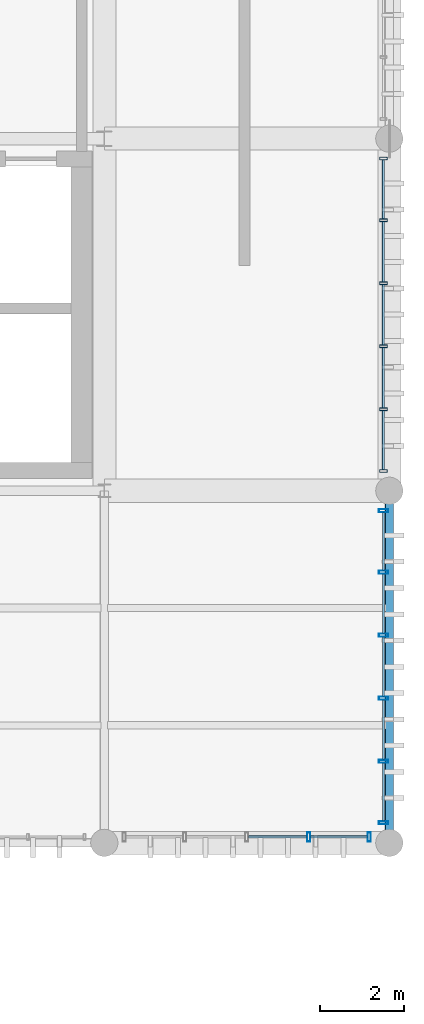
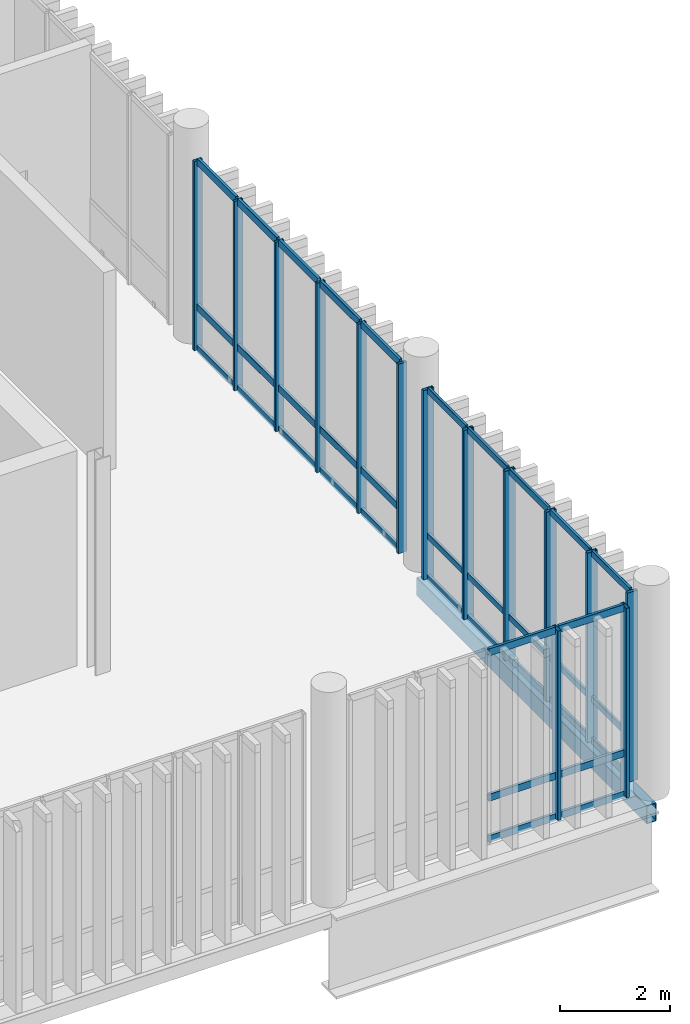
# One storey, part 45 of 81: 50 members, 1 beam, 3 elements without a shape of their own.
"""IFC4 building model written with IfcOpenShell, lengths in metres."""

from ifc_helpers import new_model, si_unit, direction, frame, origin_with_axes, origin_2d_with_axis, place, context, subcontext, project, spatial, hollow_rectangle, extrude, material, material_profile, profile_set, type_object, element, aggregate, save


model = new_model("IFC4")

# Units and contexts
model_context = context("Model", 3, precision=1e-05, world=origin_with_axes(), true_north=direction((0.0, 1.0)))
body_context = subcontext(model_context, "Body", "Model", "MODEL_VIEW")
ifc_project = project(units=[si_unit("LENGTHUNIT", "METRE"), si_unit("AREAUNIT", "SQUARE_METRE"), si_unit("VOLUMEUNIT", "CUBIC_METRE"), si_unit("PLANEANGLEUNIT", "RADIAN"), si_unit("MASSUNIT", "GRAM", prefix="KILO"), si_unit("THERMODYNAMICTEMPERATUREUNIT", "KELVIN")], contexts=[model_context])

# Site, building, storey
site_placement = place(None, origin_with_axes())
site = spatial("IfcSite", under=ifc_project, at=site_placement, CompositionType="ELEMENT")
building_placement = place(site_placement, origin_with_axes())
building = spatial("IfcBuilding", under=site, at=building_placement, Name="Montbau Bow Law Courts", CompositionType="ELEMENT")
storey_placement = place(building_placement, frame((0.0, 0.0, 24.9), z_axis=(0.0, 0.0, 1.0), x_axis=(1.0, 0.0, 0.0)))
storey = spatial("IfcBuildingStorey", under=building, at=storey_placement, Name="L05", CompositionType="ELEMENT", Elevation=24.9)

# Beam
ifc_material_1 = material(Name="Steel CSA G40.21 Grade 350WT (350 MPa)", Category="steel")
ifc_material_profile_1 = material_profile(ifc_material_1, hollow_rectangle(XDim=0.203, YDim=0.406, WallThickness=0.0127, InnerFilletRadius=0.0254, OuterFilletRadius=0.0127, at=origin_2d_with_axis()), Name="HSS406X203X13", Category="Main", Priority=0)
ifc_profile_set_1 = profile_set([ifc_material_profile_1], Name="Steel CSA G40.21 Grade 350WT (350 MPa)")
beam_type = type_object("IfcBeamType", Name="B-SPN-01", PredefinedType="SPANDREL", material=ifc_profile_set_1)
beam_placement = place(None, frame((169.4, 78.0, 24.397), z_axis=(0.0, 1.0, 0.0), x_axis=(-1.0, 0.0, 0.0)))
element("IfcBeam", 1, at=beam_placement, inside=storey, type_object=beam_type, Name="SPN-L05-S1297:bm2_1300", PredefinedType="SPANDREL", context=body_context, shape_type="SweptSolid", body=[
    extrude(hollow_rectangle(XDim=0.203, YDim=0.406, WallThickness=0.0127, InnerFilletRadius=0.0254, OuterFilletRadius=0.0127, at=origin_2d_with_axis()), origin_with_axes(), (0.0, 0.0, 1.0), 8.4),
])

# Curtain wall, members
ifc_material_2 = material(Name="Thermally Broken Extruded Aluminium AA 6063-T6", Category="aluminium")
curtain_wall_type = type_object("IfcCurtainWallType", Name="CW-SLT-02", PredefinedType="NOTDEFINED", material=ifc_material_2)
curtain_wall_1_placement = place(None, frame((163.04, 78.14, 24.9), z_axis=(0.0, 0.0, 1.0), x_axis=(1.0, 0.0, 0.0)))
curtain_wall_1 = element("IfcCurtainWall", 2, at=curtain_wall_1_placement, inside=storey, type_object=curtain_wall_type, Name="CW-L05-336:cw_0336", PredefinedType="NOTDEFINED")
ifc_material_profile_2 = material_profile(ifc_material_2, hollow_rectangle(XDim=0.075, YDim=0.22, WallThickness=0.005, InnerFilletRadius=0.01, OuterFilletRadius=0.005, at=origin_2d_with_axis()), Name="CWM-220X75", Category="Main", Priority=0)
ifc_profile_set_2 = profile_set([ifc_material_profile_2], Name="Thermally Broken Extruded Aluminium AA 6063-T6")
member_type_1 = type_object("IfcMemberType", Name="M-MUL-01", PredefinedType="MULLION", material=ifc_profile_set_2)
member_1_placement = place(None, frame((167.48, 78.14, 24.9), z_axis=(0.0, 0.0, 1.0), x_axis=(1.0, 0.0, 0.0)))
member_1 = element("IfcMember", 3, at=member_1_placement, type_object=member_type_1, Name="CW-L05-336-M04:cw_0336_M04", PredefinedType="MULLION", context=body_context, shape_type="SweptSolid", body=[
    extrude(hollow_rectangle(XDim=0.075, YDim=0.22, WallThickness=0.005, InnerFilletRadius=0.01, OuterFilletRadius=0.005, at=origin_2d_with_axis()), origin_with_axes(), (0.0, 0.0, 1.0), 4.22),
])
member_2_placement = place(None, frame((168.923, 78.14, 24.9), z_axis=(0.0, 0.0, 1.0), x_axis=(1.0, 0.0, 0.0)))
member_2 = element("IfcMember", 4, at=member_2_placement, type_object=member_type_1, Name="CW-L05-336-M05:cw_0336_M05", PredefinedType="MULLION", context=body_context, shape_type="SweptSolid", body=[
    extrude(hollow_rectangle(XDim=0.075, YDim=0.22, WallThickness=0.005, InnerFilletRadius=0.01, OuterFilletRadius=0.005, at=origin_2d_with_axis()), origin_with_axes(), (0.0, 0.0, 1.0), 4.22),
])

curtain_wall_2_placement = place(None, frame((169.26, 78.44, 24.9), z_axis=(0.0, 0.0, 1.0), x_axis=(1.0, 0.0, 0.0)))
curtain_wall_2 = element("IfcCurtainWall", 5, at=curtain_wall_2_placement, inside=storey, type_object=curtain_wall_type, Name="CW-L05-345:cw_0345", PredefinedType="NOTDEFINED")
member_3_placement = place(None, frame((169.26, 78.477, 24.9), z_axis=(0.0, 0.0, 1.0), x_axis=(0.0, 1.0, 0.0)))
member_3 = element("IfcMember", 6, at=member_3_placement, type_object=member_type_1, Name="CW-L05-345-M01:cw_0345_M01", PredefinedType="MULLION", context=body_context, shape_type="SweptSolid", body=[
    extrude(hollow_rectangle(XDim=0.075, YDim=0.22, WallThickness=0.005, InnerFilletRadius=0.01, OuterFilletRadius=0.005, at=origin_2d_with_axis()), origin_with_axes(), (0.0, 0.0, 1.0), 4.22),
])
member_4_placement = place(None, frame((169.26, 79.944, 24.9), z_axis=(0.0, 0.0, 1.0), x_axis=(0.0, 1.0, 0.0)))
member_4 = element("IfcMember", 7, at=member_4_placement, type_object=member_type_1, Name="CW-L05-345-M02:cw_0345_M02", PredefinedType="MULLION", context=body_context, shape_type="SweptSolid", body=[
    extrude(hollow_rectangle(XDim=0.075, YDim=0.22, WallThickness=0.005, InnerFilletRadius=0.01, OuterFilletRadius=0.005, at=origin_2d_with_axis()), origin_with_axes(), (0.0, 0.0, 1.0), 4.22),
])
member_5_placement = place(None, frame((169.26, 81.448, 24.9), z_axis=(0.0, 0.0, 1.0), x_axis=(0.0, 1.0, 0.0)))
member_5 = element("IfcMember", 8, at=member_5_placement, type_object=member_type_1, Name="CW-L05-345-M03:cw_0345_M03", PredefinedType="MULLION", context=body_context, shape_type="SweptSolid", body=[
    extrude(hollow_rectangle(XDim=0.075, YDim=0.22, WallThickness=0.005, InnerFilletRadius=0.01, OuterFilletRadius=0.005, at=origin_2d_with_axis()), origin_with_axes(), (0.0, 0.0, 1.0), 4.22),
])
member_6_placement = place(None, frame((169.26, 82.952, 24.9), z_axis=(0.0, 0.0, 1.0), x_axis=(0.0, 1.0, 0.0)))
member_6 = element("IfcMember", 9, at=member_6_placement, type_object=member_type_1, Name="CW-L05-345-M04:cw_0345_M04", PredefinedType="MULLION", context=body_context, shape_type="SweptSolid", body=[
    extrude(hollow_rectangle(XDim=0.075, YDim=0.22, WallThickness=0.005, InnerFilletRadius=0.01, OuterFilletRadius=0.005, at=origin_2d_with_axis()), origin_with_axes(), (0.0, 0.0, 1.0), 4.22),
])
member_7_placement = place(None, frame((169.26, 84.456, 24.9), z_axis=(0.0, 0.0, 1.0), x_axis=(0.0, 1.0, 0.0)))
member_7 = element("IfcMember", 10, at=member_7_placement, type_object=member_type_1, Name="CW-L05-345-M05:cw_0345_M05", PredefinedType="MULLION", context=body_context, shape_type="SweptSolid", body=[
    extrude(hollow_rectangle(XDim=0.075, YDim=0.22, WallThickness=0.005, InnerFilletRadius=0.01, OuterFilletRadius=0.005, at=origin_2d_with_axis()), origin_with_axes(), (0.0, 0.0, 1.0), 4.22),
])
member_8_placement = place(None, frame((169.26, 85.922, 24.9), z_axis=(0.0, 0.0, 1.0), x_axis=(0.0, 1.0, 0.0)))
member_8 = element("IfcMember", 11, at=member_8_placement, type_object=member_type_1, Name="CW-L05-345-M06:cw_0345_M06", PredefinedType="MULLION", context=body_context, shape_type="SweptSolid", body=[
    extrude(hollow_rectangle(XDim=0.075, YDim=0.22, WallThickness=0.005, InnerFilletRadius=0.01, OuterFilletRadius=0.005, at=origin_2d_with_axis()), origin_with_axes(), (0.0, 0.0, 1.0), 4.22),
])

curtain_wall_3_placement = place(None, frame((169.26, 86.84, 24.9), z_axis=(0.0, 0.0, 1.0), x_axis=(1.0, 0.0, 0.0)))
curtain_wall_3 = element("IfcCurtainWall", 12, at=curtain_wall_3_placement, inside=storey, type_object=curtain_wall_type, Name="CW-L05-346:cw_0346", PredefinedType="NOTDEFINED")
ifc_material_profile_3 = material_profile(ifc_material_2, hollow_rectangle(XDim=0.065, YDim=0.18, WallThickness=0.005, InnerFilletRadius=0.01, OuterFilletRadius=0.005, at=origin_2d_with_axis()), Name="CWM-180X65", Category="Main", Priority=0)
ifc_profile_set_3 = profile_set([ifc_material_profile_3], Name="Thermally Broken Extruded Aluminium AA 6063-T6")
member_type_2 = type_object("IfcMemberType", Name="M-MUL-02", PredefinedType="MULLION", material=ifc_profile_set_3)
member_9_placement = place(None, frame((169.26, 86.873, 24.9), z_axis=(0.0, 0.0, 1.0), x_axis=(0.0, 1.0, 0.0)))
member_9 = element("IfcMember", 13, at=member_9_placement, type_object=member_type_2, Name="CW-L05-346-M01:cw_0346_M01", PredefinedType="MULLION", context=body_context, shape_type="SweptSolid", body=[
    extrude(hollow_rectangle(XDim=0.065, YDim=0.18, WallThickness=0.005, InnerFilletRadius=0.01, OuterFilletRadius=0.005, at=origin_2d_with_axis()), origin_with_axes(), (0.0, 0.0, 1.0), 4.22),
])
member_10_placement = place(None, frame((169.26, 88.344, 24.9), z_axis=(0.0, 0.0, 1.0), x_axis=(0.0, 1.0, 0.0)))
member_10 = element("IfcMember", 14, at=member_10_placement, type_object=member_type_2, Name="CW-L05-346-M02:cw_0346_M02", PredefinedType="MULLION", context=body_context, shape_type="SweptSolid", body=[
    extrude(hollow_rectangle(XDim=0.065, YDim=0.18, WallThickness=0.005, InnerFilletRadius=0.01, OuterFilletRadius=0.005, at=origin_2d_with_axis()), origin_with_axes(), (0.0, 0.0, 1.0), 4.22),
])
member_11_placement = place(None, frame((169.26, 89.848, 24.9), z_axis=(0.0, 0.0, 1.0), x_axis=(0.0, 1.0, 0.0)))
member_11 = element("IfcMember", 15, at=member_11_placement, type_object=member_type_2, Name="CW-L05-346-M03:cw_0346_M03", PredefinedType="MULLION", context=body_context, shape_type="SweptSolid", body=[
    extrude(hollow_rectangle(XDim=0.065, YDim=0.18, WallThickness=0.005, InnerFilletRadius=0.01, OuterFilletRadius=0.005, at=origin_2d_with_axis()), origin_with_axes(), (0.0, 0.0, 1.0), 4.22),
])
member_12_placement = place(None, frame((169.26, 91.352, 24.9), z_axis=(0.0, 0.0, 1.0), x_axis=(0.0, 1.0, 0.0)))
member_12 = element("IfcMember", 16, at=member_12_placement, type_object=member_type_2, Name="CW-L05-346-M04:cw_0346_M04", PredefinedType="MULLION", context=body_context, shape_type="SweptSolid", body=[
    extrude(hollow_rectangle(XDim=0.065, YDim=0.18, WallThickness=0.005, InnerFilletRadius=0.01, OuterFilletRadius=0.005, at=origin_2d_with_axis()), origin_with_axes(), (0.0, 0.0, 1.0), 4.22),
])
member_13_placement = place(None, frame((169.26, 92.856, 24.9), z_axis=(0.0, 0.0, 1.0), x_axis=(0.0, 1.0, 0.0)))
member_13 = element("IfcMember", 17, at=member_13_placement, type_object=member_type_2, Name="CW-L05-346-M05:cw_0346_M05", PredefinedType="MULLION", context=body_context, shape_type="SweptSolid", body=[
    extrude(hollow_rectangle(XDim=0.065, YDim=0.18, WallThickness=0.005, InnerFilletRadius=0.01, OuterFilletRadius=0.005, at=origin_2d_with_axis()), origin_with_axes(), (0.0, 0.0, 1.0), 4.22),
])
member_14_placement = place(None, frame((169.26, 94.327, 24.9), z_axis=(0.0, 0.0, 1.0), x_axis=(0.0, 1.0, 0.0)))
member_14 = element("IfcMember", 18, at=member_14_placement, type_object=member_type_2, Name="CW-L05-346-M06:cw_0346_M06", PredefinedType="MULLION", context=body_context, shape_type="SweptSolid", body=[
    extrude(hollow_rectangle(XDim=0.065, YDim=0.18, WallThickness=0.005, InnerFilletRadius=0.01, OuterFilletRadius=0.005, at=origin_2d_with_axis()), origin_with_axes(), (0.0, 0.0, 1.0), 4.22),
])

# Member
ifc_material_profile_4 = material_profile(ifc_material_2, hollow_rectangle(XDim=0.06, YDim=0.16, WallThickness=0.004, InnerFilletRadius=0.008, OuterFilletRadius=0.004, at=origin_2d_with_axis()), Name="CWT-160X60", Category="Main", Priority=0)
ifc_profile_set_4 = profile_set([ifc_material_profile_4], Name="Thermally Broken Extruded Aluminium AA 6063-T6")
member_type_3 = type_object("IfcMemberType", Name="M-TRN-01", PredefinedType="USERDEFINED", material=ifc_profile_set_4)
member_15_placement = place(None, frame((166.039, 78.14, 24.93), z_axis=(1.0, 0.0, 0.0), x_axis=(0.0, 1.0, 0.0)))
member_15 = element("IfcMember", 19, at=member_15_placement, type_object=member_type_3, Name="CW-L05-336-T03-1:cw_0336_T03_1", ObjectType="TRANSOM", PredefinedType="USERDEFINED", context=body_context, shape_type="SweptSolid", body=[
    extrude(hollow_rectangle(XDim=0.06, YDim=0.16, WallThickness=0.004, InnerFilletRadius=0.008, OuterFilletRadius=0.004, at=origin_2d_with_axis()), origin_with_axes(), (0.0, 0.0, 1.0), 1.402),
])

member_16_placement = place(None, frame((166.039, 78.14, 25.85), z_axis=(1.0, 0.0, 0.0), x_axis=(0.0, 1.0, 0.0)))
member_16 = element("IfcMember", 20, at=member_16_placement, type_object=member_type_3, Name="CW-L05-336-T03-2:cw_0336_T03_2", ObjectType="TRANSOM", PredefinedType="USERDEFINED", context=body_context, shape_type="SweptSolid", body=[
    extrude(hollow_rectangle(XDim=0.06, YDim=0.16, WallThickness=0.004, InnerFilletRadius=0.008, OuterFilletRadius=0.004, at=origin_2d_with_axis()), origin_with_axes(), (0.0, 0.0, 1.0), 1.402),
])

member_17_placement = place(None, frame((166.039, 78.14, 29.09), z_axis=(1.0, 0.0, 0.0), x_axis=(0.0, 1.0, 0.0)))
member_17 = element("IfcMember", 21, at=member_17_placement, type_object=member_type_3, Name="CW-L05-336-T03-3:cw_0336_T03_3", ObjectType="TRANSOM", PredefinedType="USERDEFINED", context=body_context, shape_type="SweptSolid", body=[
    extrude(hollow_rectangle(XDim=0.06, YDim=0.16, WallThickness=0.004, InnerFilletRadius=0.008, OuterFilletRadius=0.004, at=origin_2d_with_axis()), origin_with_axes(), (0.0, 0.0, 1.0), 1.402),
])

member_18_placement = place(None, frame((167.519, 78.14, 24.93), z_axis=(1.0, 0.0, 0.0), x_axis=(0.0, 1.0, 0.0)))
member_18 = element("IfcMember", 22, at=member_18_placement, type_object=member_type_3, Name="CW-L05-336-T04-1:cw_0336_T04_1", ObjectType="TRANSOM", PredefinedType="USERDEFINED", context=body_context, shape_type="SweptSolid", body=[
    extrude(hollow_rectangle(XDim=0.06, YDim=0.16, WallThickness=0.004, InnerFilletRadius=0.008, OuterFilletRadius=0.004, at=origin_2d_with_axis()), origin_with_axes(), (0.0, 0.0, 1.0), 1.365),
])

member_19_placement = place(None, frame((167.519, 78.14, 25.85), z_axis=(1.0, 0.0, 0.0), x_axis=(0.0, 1.0, 0.0)))
member_19 = element("IfcMember", 23, at=member_19_placement, type_object=member_type_3, Name="CW-L05-336-T04-2:cw_0336_T04_2", ObjectType="TRANSOM", PredefinedType="USERDEFINED", context=body_context, shape_type="SweptSolid", body=[
    extrude(hollow_rectangle(XDim=0.06, YDim=0.16, WallThickness=0.004, InnerFilletRadius=0.008, OuterFilletRadius=0.004, at=origin_2d_with_axis()), origin_with_axes(), (0.0, 0.0, 1.0), 1.365),
])

member_20_placement = place(None, frame((167.519, 78.14, 29.09), z_axis=(1.0, 0.0, 0.0), x_axis=(0.0, 1.0, 0.0)))
member_20 = element("IfcMember", 24, at=member_20_placement, type_object=member_type_3, Name="CW-L05-336-T04-3:cw_0336_T04_3", ObjectType="TRANSOM", PredefinedType="USERDEFINED", context=body_context, shape_type="SweptSolid", body=[
    extrude(hollow_rectangle(XDim=0.06, YDim=0.16, WallThickness=0.004, InnerFilletRadius=0.008, OuterFilletRadius=0.004, at=origin_2d_with_axis()), origin_with_axes(), (0.0, 0.0, 1.0), 1.365),
])

aggregate(curtain_wall_1, [member_1, member_2, member_15, member_16, member_17, member_18, member_19, member_20])

member_21_placement = place(None, frame((169.26, 86.908, 24.93), z_axis=(0.0, 1.0, 0.0), x_axis=(-1.0, 0.0, 0.0)))
member_21 = element("IfcMember", 25, at=member_21_placement, type_object=member_type_3, Name="CW-L05-346-T01-1:cw_0346_T01_1", ObjectType="TRANSOM", PredefinedType="USERDEFINED", context=body_context, shape_type="SweptSolid", body=[
    extrude(hollow_rectangle(XDim=0.06, YDim=0.16, WallThickness=0.004, InnerFilletRadius=0.008, OuterFilletRadius=0.004, at=origin_2d_with_axis()), origin_with_axes(), (0.0, 0.0, 1.0), 1.402),
])

member_22_placement = place(None, frame((169.26, 86.908, 25.85), z_axis=(0.0, 1.0, 0.0), x_axis=(-1.0, 0.0, 0.0)))
member_22 = element("IfcMember", 26, at=member_22_placement, type_object=member_type_3, Name="CW-L05-346-T01-2:cw_0346_T01_2", ObjectType="TRANSOM", PredefinedType="USERDEFINED", context=body_context, shape_type="SweptSolid", body=[
    extrude(hollow_rectangle(XDim=0.06, YDim=0.16, WallThickness=0.004, InnerFilletRadius=0.008, OuterFilletRadius=0.004, at=origin_2d_with_axis()), origin_with_axes(), (0.0, 0.0, 1.0), 1.402),
])

member_23_placement = place(None, frame((169.26, 86.908, 29.09), z_axis=(0.0, 1.0, 0.0), x_axis=(-1.0, 0.0, 0.0)))
member_23 = element("IfcMember", 27, at=member_23_placement, type_object=member_type_3, Name="CW-L05-346-T01-3:cw_0346_T01_3", ObjectType="TRANSOM", PredefinedType="USERDEFINED", context=body_context, shape_type="SweptSolid", body=[
    extrude(hollow_rectangle(XDim=0.06, YDim=0.16, WallThickness=0.004, InnerFilletRadius=0.008, OuterFilletRadius=0.004, at=origin_2d_with_axis()), origin_with_axes(), (0.0, 0.0, 1.0), 1.402),
])

member_24_placement = place(None, frame((169.26, 88.378, 24.93), z_axis=(0.0, 1.0, 0.0), x_axis=(-1.0, 0.0, 0.0)))
member_24 = element("IfcMember", 28, at=member_24_placement, type_object=member_type_3, Name="CW-L05-346-T02-1:cw_0346_T02_1", ObjectType="TRANSOM", PredefinedType="USERDEFINED", context=body_context, shape_type="SweptSolid", body=[
    extrude(hollow_rectangle(XDim=0.06, YDim=0.16, WallThickness=0.004, InnerFilletRadius=0.008, OuterFilletRadius=0.004, at=origin_2d_with_axis()), origin_with_axes(), (0.0, 0.0, 1.0), 1.436),
])

member_25_placement = place(None, frame((169.26, 88.378, 25.85), z_axis=(0.0, 1.0, 0.0), x_axis=(-1.0, 0.0, 0.0)))
member_25 = element("IfcMember", 29, at=member_25_placement, type_object=member_type_3, Name="CW-L05-346-T02-2:cw_0346_T02_2", ObjectType="TRANSOM", PredefinedType="USERDEFINED", context=body_context, shape_type="SweptSolid", body=[
    extrude(hollow_rectangle(XDim=0.06, YDim=0.16, WallThickness=0.004, InnerFilletRadius=0.008, OuterFilletRadius=0.004, at=origin_2d_with_axis()), origin_with_axes(), (0.0, 0.0, 1.0), 1.436),
])

member_26_placement = place(None, frame((169.26, 88.378, 29.09), z_axis=(0.0, 1.0, 0.0), x_axis=(-1.0, 0.0, 0.0)))
member_26 = element("IfcMember", 30, at=member_26_placement, type_object=member_type_3, Name="CW-L05-346-T02-3:cw_0346_T02_3", ObjectType="TRANSOM", PredefinedType="USERDEFINED", context=body_context, shape_type="SweptSolid", body=[
    extrude(hollow_rectangle(XDim=0.06, YDim=0.16, WallThickness=0.004, InnerFilletRadius=0.008, OuterFilletRadius=0.004, at=origin_2d_with_axis()), origin_with_axes(), (0.0, 0.0, 1.0), 1.436),
])

member_27_placement = place(None, frame((169.26, 89.882, 24.93), z_axis=(0.0, 1.0, 0.0), x_axis=(-1.0, 0.0, 0.0)))
member_27 = element("IfcMember", 31, at=member_27_placement, type_object=member_type_3, Name="CW-L05-346-T03-1:cw_0346_T03_1", ObjectType="TRANSOM", PredefinedType="USERDEFINED", context=body_context, shape_type="SweptSolid", body=[
    extrude(hollow_rectangle(XDim=0.06, YDim=0.16, WallThickness=0.004, InnerFilletRadius=0.008, OuterFilletRadius=0.004, at=origin_2d_with_axis()), origin_with_axes(), (0.0, 0.0, 1.0), 1.436),
])

member_28_placement = place(None, frame((169.26, 89.882, 25.85), z_axis=(0.0, 1.0, 0.0), x_axis=(-1.0, 0.0, 0.0)))
member_28 = element("IfcMember", 32, at=member_28_placement, type_object=member_type_3, Name="CW-L05-346-T03-2:cw_0346_T03_2", ObjectType="TRANSOM", PredefinedType="USERDEFINED", context=body_context, shape_type="SweptSolid", body=[
    extrude(hollow_rectangle(XDim=0.06, YDim=0.16, WallThickness=0.004, InnerFilletRadius=0.008, OuterFilletRadius=0.004, at=origin_2d_with_axis()), origin_with_axes(), (0.0, 0.0, 1.0), 1.436),
])

member_29_placement = place(None, frame((169.26, 89.882, 29.09), z_axis=(0.0, 1.0, 0.0), x_axis=(-1.0, 0.0, 0.0)))
member_29 = element("IfcMember", 33, at=member_29_placement, type_object=member_type_3, Name="CW-L05-346-T03-3:cw_0346_T03_3", ObjectType="TRANSOM", PredefinedType="USERDEFINED", context=body_context, shape_type="SweptSolid", body=[
    extrude(hollow_rectangle(XDim=0.06, YDim=0.16, WallThickness=0.004, InnerFilletRadius=0.008, OuterFilletRadius=0.004, at=origin_2d_with_axis()), origin_with_axes(), (0.0, 0.0, 1.0), 1.436),
])

member_30_placement = place(None, frame((169.26, 91.386, 24.93), z_axis=(0.0, 1.0, 0.0), x_axis=(-1.0, 0.0, 0.0)))
member_30 = element("IfcMember", 34, at=member_30_placement, type_object=member_type_3, Name="CW-L05-346-T04-1:cw_0346_T04_1", ObjectType="TRANSOM", PredefinedType="USERDEFINED", context=body_context, shape_type="SweptSolid", body=[
    extrude(hollow_rectangle(XDim=0.06, YDim=0.16, WallThickness=0.004, InnerFilletRadius=0.008, OuterFilletRadius=0.004, at=origin_2d_with_axis()), origin_with_axes(), (0.0, 0.0, 1.0), 1.436),
])

member_31_placement = place(None, frame((169.26, 91.386, 25.85), z_axis=(0.0, 1.0, 0.0), x_axis=(-1.0, 0.0, 0.0)))
member_31 = element("IfcMember", 35, at=member_31_placement, type_object=member_type_3, Name="CW-L05-346-T04-2:cw_0346_T04_2", ObjectType="TRANSOM", PredefinedType="USERDEFINED", context=body_context, shape_type="SweptSolid", body=[
    extrude(hollow_rectangle(XDim=0.06, YDim=0.16, WallThickness=0.004, InnerFilletRadius=0.008, OuterFilletRadius=0.004, at=origin_2d_with_axis()), origin_with_axes(), (0.0, 0.0, 1.0), 1.436),
])

member_32_placement = place(None, frame((169.26, 91.386, 29.09), z_axis=(0.0, 1.0, 0.0), x_axis=(-1.0, 0.0, 0.0)))
member_32 = element("IfcMember", 36, at=member_32_placement, type_object=member_type_3, Name="CW-L05-346-T04-3:cw_0346_T04_3", ObjectType="TRANSOM", PredefinedType="USERDEFINED", context=body_context, shape_type="SweptSolid", body=[
    extrude(hollow_rectangle(XDim=0.06, YDim=0.16, WallThickness=0.004, InnerFilletRadius=0.008, OuterFilletRadius=0.004, at=origin_2d_with_axis()), origin_with_axes(), (0.0, 0.0, 1.0), 1.436),
])

member_33_placement = place(None, frame((169.26, 92.89, 24.93), z_axis=(0.0, 1.0, 0.0), x_axis=(-1.0, 0.0, 0.0)))
member_33 = element("IfcMember", 37, at=member_33_placement, type_object=member_type_3, Name="CW-L05-346-T05-1:cw_0346_T05_1", ObjectType="TRANSOM", PredefinedType="USERDEFINED", context=body_context, shape_type="SweptSolid", body=[
    extrude(hollow_rectangle(XDim=0.06, YDim=0.16, WallThickness=0.004, InnerFilletRadius=0.008, OuterFilletRadius=0.004, at=origin_2d_with_axis()), origin_with_axes(), (0.0, 0.0, 1.0), 1.403),
])

member_34_placement = place(None, frame((169.26, 92.89, 25.85), z_axis=(0.0, 1.0, 0.0), x_axis=(-1.0, 0.0, 0.0)))
member_34 = element("IfcMember", 38, at=member_34_placement, type_object=member_type_3, Name="CW-L05-346-T05-2:cw_0346_T05_2", ObjectType="TRANSOM", PredefinedType="USERDEFINED", context=body_context, shape_type="SweptSolid", body=[
    extrude(hollow_rectangle(XDim=0.06, YDim=0.16, WallThickness=0.004, InnerFilletRadius=0.008, OuterFilletRadius=0.004, at=origin_2d_with_axis()), origin_with_axes(), (0.0, 0.0, 1.0), 1.403),
])

member_35_placement = place(None, frame((169.26, 92.89, 29.09), z_axis=(0.0, 1.0, 0.0), x_axis=(-1.0, 0.0, 0.0)))
member_35 = element("IfcMember", 39, at=member_35_placement, type_object=member_type_3, Name="CW-L05-346-T05-3:cw_0346_T05_3", ObjectType="TRANSOM", PredefinedType="USERDEFINED", context=body_context, shape_type="SweptSolid", body=[
    extrude(hollow_rectangle(XDim=0.06, YDim=0.16, WallThickness=0.004, InnerFilletRadius=0.008, OuterFilletRadius=0.004, at=origin_2d_with_axis()), origin_with_axes(), (0.0, 0.0, 1.0), 1.403),
])

aggregate(curtain_wall_3, [member_9, member_10, member_11, member_12, member_13, member_14, member_21, member_22, member_23, member_24, member_25, member_26, member_27, member_28, member_29, member_30, member_31, member_32, member_33, member_34, member_35])

ifc_material_profile_5 = material_profile(ifc_material_2, hollow_rectangle(XDim=0.055, YDim=0.14, WallThickness=0.004, InnerFilletRadius=0.008, OuterFilletRadius=0.004, at=origin_2d_with_axis()), Name="CWT-140X55", Category="Main", Priority=0)
ifc_profile_set_5 = profile_set([ifc_material_profile_5], Name="Thermally Broken Extruded Aluminium AA 6063-T6")
member_type_4 = type_object("IfcMemberType", Name="M-TRN-02", PredefinedType="USERDEFINED", material=ifc_profile_set_5)
member_36_placement = place(None, frame((169.26, 78.516, 24.927), z_axis=(0.0, 1.0, 0.0), x_axis=(-1.0, 0.0, 0.0)))
member_36 = element("IfcMember", 40, at=member_36_placement, type_object=member_type_4, Name="CW-L05-345-T01-1:cw_0345_T01_1", ObjectType="TRANSOM", PredefinedType="USERDEFINED", context=body_context, shape_type="SweptSolid", body=[
    extrude(hollow_rectangle(XDim=0.055, YDim=0.14, WallThickness=0.004, InnerFilletRadius=0.008, OuterFilletRadius=0.004, at=origin_2d_with_axis()), origin_with_axes(), (0.0, 0.0, 1.0), 1.388),
])

member_37_placement = place(None, frame((169.26, 78.516, 25.85), z_axis=(0.0, 1.0, 0.0), x_axis=(-1.0, 0.0, 0.0)))
member_37 = element("IfcMember", 41, at=member_37_placement, type_object=member_type_4, Name="CW-L05-345-T01-2:cw_0345_T01_2", ObjectType="TRANSOM", PredefinedType="USERDEFINED", context=body_context, shape_type="SweptSolid", body=[
    extrude(hollow_rectangle(XDim=0.055, YDim=0.14, WallThickness=0.004, InnerFilletRadius=0.008, OuterFilletRadius=0.004, at=origin_2d_with_axis()), origin_with_axes(), (0.0, 0.0, 1.0), 1.388),
])

member_38_placement = place(None, frame((169.26, 78.516, 29.093), z_axis=(0.0, 1.0, 0.0), x_axis=(-1.0, 0.0, 0.0)))
member_38 = element("IfcMember", 42, at=member_38_placement, type_object=member_type_4, Name="CW-L05-345-T01-3:cw_0345_T01_3", ObjectType="TRANSOM", PredefinedType="USERDEFINED", context=body_context, shape_type="SweptSolid", body=[
    extrude(hollow_rectangle(XDim=0.055, YDim=0.14, WallThickness=0.004, InnerFilletRadius=0.008, OuterFilletRadius=0.004, at=origin_2d_with_axis()), origin_with_axes(), (0.0, 0.0, 1.0), 1.388),
])

member_39_placement = place(None, frame((169.26, 79.984, 24.927), z_axis=(0.0, 1.0, 0.0), x_axis=(-1.0, 0.0, 0.0)))
member_39 = element("IfcMember", 43, at=member_39_placement, type_object=member_type_4, Name="CW-L05-345-T02-1:cw_0345_T02_1", ObjectType="TRANSOM", PredefinedType="USERDEFINED", context=body_context, shape_type="SweptSolid", body=[
    extrude(hollow_rectangle(XDim=0.055, YDim=0.14, WallThickness=0.004, InnerFilletRadius=0.008, OuterFilletRadius=0.004, at=origin_2d_with_axis()), origin_with_axes(), (0.0, 0.0, 1.0), 1.425),
])

member_40_placement = place(None, frame((169.26, 79.984, 25.85), z_axis=(0.0, 1.0, 0.0), x_axis=(-1.0, 0.0, 0.0)))
member_40 = element("IfcMember", 44, at=member_40_placement, type_object=member_type_4, Name="CW-L05-345-T02-2:cw_0345_T02_2", ObjectType="TRANSOM", PredefinedType="USERDEFINED", context=body_context, shape_type="SweptSolid", body=[
    extrude(hollow_rectangle(XDim=0.055, YDim=0.14, WallThickness=0.004, InnerFilletRadius=0.008, OuterFilletRadius=0.004, at=origin_2d_with_axis()), origin_with_axes(), (0.0, 0.0, 1.0), 1.425),
])

member_41_placement = place(None, frame((169.26, 79.984, 29.093), z_axis=(0.0, 1.0, 0.0), x_axis=(-1.0, 0.0, 0.0)))
member_41 = element("IfcMember", 45, at=member_41_placement, type_object=member_type_4, Name="CW-L05-345-T02-3:cw_0345_T02_3", ObjectType="TRANSOM", PredefinedType="USERDEFINED", context=body_context, shape_type="SweptSolid", body=[
    extrude(hollow_rectangle(XDim=0.055, YDim=0.14, WallThickness=0.004, InnerFilletRadius=0.008, OuterFilletRadius=0.004, at=origin_2d_with_axis()), origin_with_axes(), (0.0, 0.0, 1.0), 1.425),
])

member_42_placement = place(None, frame((169.26, 81.487, 24.927), z_axis=(0.0, 1.0, 0.0), x_axis=(-1.0, 0.0, 0.0)))
member_42 = element("IfcMember", 46, at=member_42_placement, type_object=member_type_4, Name="CW-L05-345-T03-1:cw_0345_T03_1", ObjectType="TRANSOM", PredefinedType="USERDEFINED", context=body_context, shape_type="SweptSolid", body=[
    extrude(hollow_rectangle(XDim=0.055, YDim=0.14, WallThickness=0.004, InnerFilletRadius=0.008, OuterFilletRadius=0.004, at=origin_2d_with_axis()), origin_with_axes(), (0.0, 0.0, 1.0), 1.426),
])

member_43_placement = place(None, frame((169.26, 81.487, 25.85), z_axis=(0.0, 1.0, 0.0), x_axis=(-1.0, 0.0, 0.0)))
member_43 = element("IfcMember", 47, at=member_43_placement, type_object=member_type_4, Name="CW-L05-345-T03-2:cw_0345_T03_2", ObjectType="TRANSOM", PredefinedType="USERDEFINED", context=body_context, shape_type="SweptSolid", body=[
    extrude(hollow_rectangle(XDim=0.055, YDim=0.14, WallThickness=0.004, InnerFilletRadius=0.008, OuterFilletRadius=0.004, at=origin_2d_with_axis()), origin_with_axes(), (0.0, 0.0, 1.0), 1.426),
])

member_44_placement = place(None, frame((169.26, 81.487, 29.093), z_axis=(0.0, 1.0, 0.0), x_axis=(-1.0, 0.0, 0.0)))
member_44 = element("IfcMember", 48, at=member_44_placement, type_object=member_type_4, Name="CW-L05-345-T03-3:cw_0345_T03_3", ObjectType="TRANSOM", PredefinedType="USERDEFINED", context=body_context, shape_type="SweptSolid", body=[
    extrude(hollow_rectangle(XDim=0.055, YDim=0.14, WallThickness=0.004, InnerFilletRadius=0.008, OuterFilletRadius=0.004, at=origin_2d_with_axis()), origin_with_axes(), (0.0, 0.0, 1.0), 1.426),
])

member_45_placement = place(None, frame((169.26, 82.991, 24.927), z_axis=(0.0, 1.0, 0.0), x_axis=(-1.0, 0.0, 0.0)))
member_45 = element("IfcMember", 49, at=member_45_placement, type_object=member_type_4, Name="CW-L05-345-T04-1:cw_0345_T04_1", ObjectType="TRANSOM", PredefinedType="USERDEFINED", context=body_context, shape_type="SweptSolid", body=[
    extrude(hollow_rectangle(XDim=0.055, YDim=0.14, WallThickness=0.004, InnerFilletRadius=0.008, OuterFilletRadius=0.004, at=origin_2d_with_axis()), origin_with_axes(), (0.0, 0.0, 1.0), 1.426),
])

member_46_placement = place(None, frame((169.26, 82.991, 25.85), z_axis=(0.0, 1.0, 0.0), x_axis=(-1.0, 0.0, 0.0)))
member_46 = element("IfcMember", 50, at=member_46_placement, type_object=member_type_4, Name="CW-L05-345-T04-2:cw_0345_T04_2", ObjectType="TRANSOM", PredefinedType="USERDEFINED", context=body_context, shape_type="SweptSolid", body=[
    extrude(hollow_rectangle(XDim=0.055, YDim=0.14, WallThickness=0.004, InnerFilletRadius=0.008, OuterFilletRadius=0.004, at=origin_2d_with_axis()), origin_with_axes(), (0.0, 0.0, 1.0), 1.426),
])

member_47_placement = place(None, frame((169.26, 82.991, 29.093), z_axis=(0.0, 1.0, 0.0), x_axis=(-1.0, 0.0, 0.0)))
member_47 = element("IfcMember", 51, at=member_47_placement, type_object=member_type_4, Name="CW-L05-345-T04-3:cw_0345_T04_3", ObjectType="TRANSOM", PredefinedType="USERDEFINED", context=body_context, shape_type="SweptSolid", body=[
    extrude(hollow_rectangle(XDim=0.055, YDim=0.14, WallThickness=0.004, InnerFilletRadius=0.008, OuterFilletRadius=0.004, at=origin_2d_with_axis()), origin_with_axes(), (0.0, 0.0, 1.0), 1.426),
])

member_48_placement = place(None, frame((169.26, 84.495, 24.927), z_axis=(0.0, 1.0, 0.0), x_axis=(-1.0, 0.0, 0.0)))
member_48 = element("IfcMember", 52, at=member_48_placement, type_object=member_type_4, Name="CW-L05-345-T05-1:cw_0345_T05_1", ObjectType="TRANSOM", PredefinedType="USERDEFINED", context=body_context, shape_type="SweptSolid", body=[
    extrude(hollow_rectangle(XDim=0.055, YDim=0.14, WallThickness=0.004, InnerFilletRadius=0.008, OuterFilletRadius=0.004, at=origin_2d_with_axis()), origin_with_axes(), (0.0, 0.0, 1.0), 1.388),
])

member_49_placement = place(None, frame((169.26, 84.495, 25.85), z_axis=(0.0, 1.0, 0.0), x_axis=(-1.0, 0.0, 0.0)))
member_49 = element("IfcMember", 53, at=member_49_placement, type_object=member_type_4, Name="CW-L05-345-T05-2:cw_0345_T05_2", ObjectType="TRANSOM", PredefinedType="USERDEFINED", context=body_context, shape_type="SweptSolid", body=[
    extrude(hollow_rectangle(XDim=0.055, YDim=0.14, WallThickness=0.004, InnerFilletRadius=0.008, OuterFilletRadius=0.004, at=origin_2d_with_axis()), origin_with_axes(), (0.0, 0.0, 1.0), 1.388),
])

member_50_placement = place(None, frame((169.26, 84.495, 29.093), z_axis=(0.0, 1.0, 0.0), x_axis=(-1.0, 0.0, 0.0)))
member_50 = element("IfcMember", 54, at=member_50_placement, type_object=member_type_4, Name="CW-L05-345-T05-3:cw_0345_T05_3", ObjectType="TRANSOM", PredefinedType="USERDEFINED", context=body_context, shape_type="SweptSolid", body=[
    extrude(hollow_rectangle(XDim=0.055, YDim=0.14, WallThickness=0.004, InnerFilletRadius=0.008, OuterFilletRadius=0.004, at=origin_2d_with_axis()), origin_with_axes(), (0.0, 0.0, 1.0), 1.388),
])

aggregate(curtain_wall_2, [member_3, member_4, member_5, member_6, member_7, member_8, member_36, member_37, member_38, member_39, member_40, member_41, member_42, member_43, member_44, member_45, member_46, member_47, member_48, member_49, member_50])

save(model, "model.ifc")
